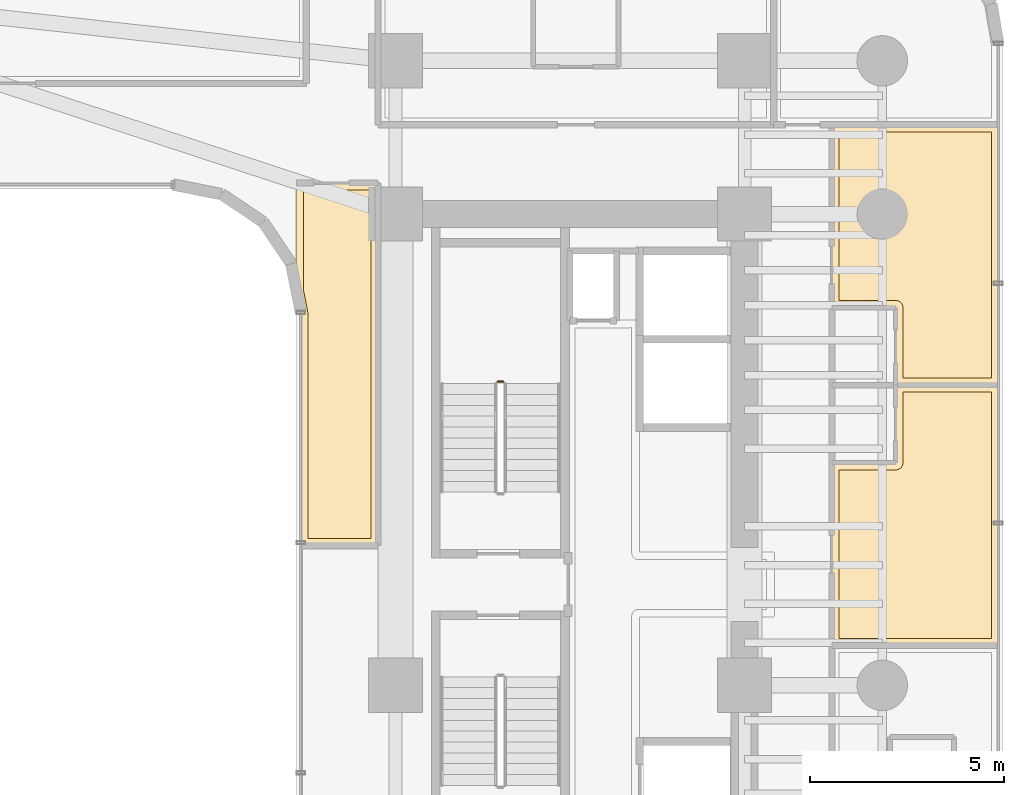
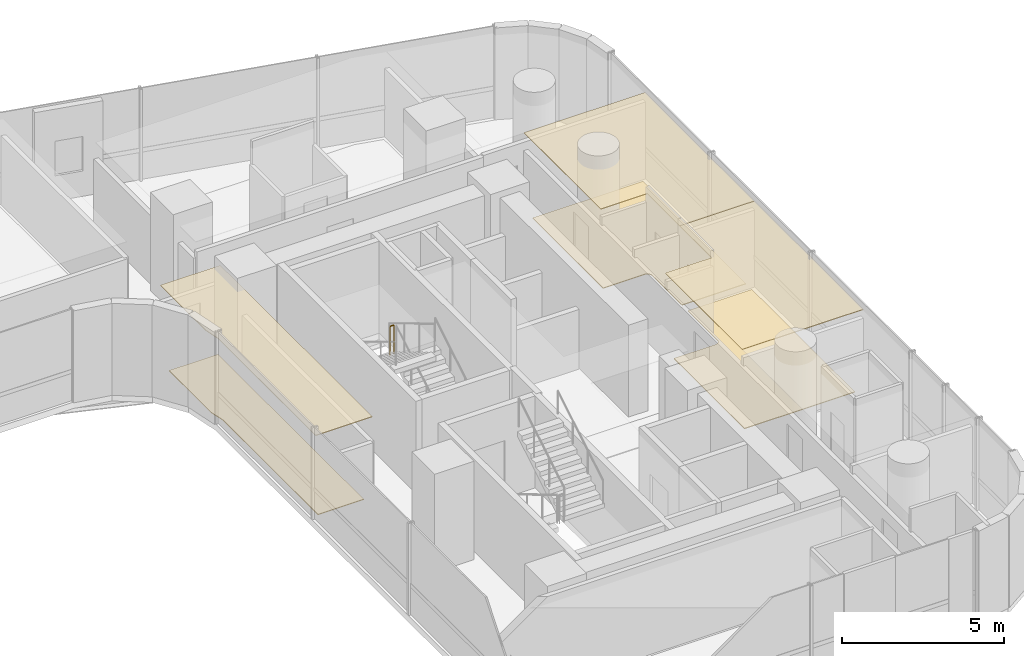
# One storey, part 39 of 40: 6 coverings, 1 railing.
"""IFC4 building model written with IfcOpenShell, lengths in metres."""

from ifc_helpers import new_model, si_unit, direction, frame, origin, origin_2d, place, context, subcontext, project, spatial, polyline, circle, outline, extrude, material, layer, layer_set, type_object, element, save


model = new_model("IFC4")

# Units and contexts
model_context = context("Model", 3, precision=1e-05, world=origin(), true_north=direction((0.0, 1.0)))
body_context = subcontext(model_context, "Body", "Model", "MODEL_VIEW")
ifc_project = project(units=[si_unit("LENGTHUNIT", "METRE"), si_unit("AREAUNIT", "SQUARE_METRE"), si_unit("VOLUMEUNIT", "CUBIC_METRE"), si_unit("PLANEANGLEUNIT", "RADIAN"), si_unit("MASSUNIT", "GRAM", prefix="KILO")], contexts=[model_context])

# Site, building, storey
site_placement = place(None, origin())
site = spatial("IfcSite", under=ifc_project, at=site_placement, CompositionType="ELEMENT")
building_placement = place(site_placement, origin())
building = spatial("IfcBuilding", under=site, at=building_placement, Name="Valdorenza Pilgrim Sanctuary Tower", CompositionType="ELEMENT")
storey_placement = place(building_placement, frame((0.0, 0.0, 66.699951171875)))
storey = spatial("IfcBuildingStorey", under=building, at=storey_placement, Name="L16", CompositionType="ELEMENT", Elevation=66.699951171875)

# Coverings
ifc_material_1 = material(Name="Micro-perforated acoustic mineral ceiling tile", Category="gypsum")
ifc_layer_1 = layer(ifc_material_1, 0.02490234375, Name="Micro-perforated acoustic mineral ceiling tile")
ifc_layer_set_1 = layer_set([ifc_layer_1], Name="Micro-perforated acoustic mineral ceiling tile")
covering_type_1 = type_object("IfcCoveringType", Name="COV-CLG-ACU", PredefinedType="CEILING", material=ifc_layer_set_1)
covering_1_placement = place(storey_placement, frame((0.0, 0.0, 3.16015625)))
element("IfcCovering", 1, at=covering_1_placement, inside=storey, type_object=covering_type_1, Name="L16 East Sanctuary Guest Room L16-EG3 Acoustic Ceiling", PredefinedType="CEILING", context=body_context, shape_type="SweptSolid", body=[
    extrude(outline(polyline([(27.0849609375, 3.135986328125), (27.085205078125, 3.137451171875), (27.085205078125, 3.138916015625), (27.085693359375, 3.140380859375), (27.086181640625, 3.1416015625), (27.0869140625, 3.14306640625), (27.08740234375, 3.144287109375), (27.08837890625, 3.1455078125), (27.08935546875, 3.146484375), (27.090576171875, 3.147705078125), (27.091796875, 3.1484375), (27.093017578125, 3.149169921875), (27.09423828125, 3.14990234375), (27.095703125, 3.150390625), (27.09716796875, 3.150634765625), (27.098388671875, 3.15087890625), (27.10009765625, 3.15087890625), (28.737060546875, 3.15087890625), (28.737060546875, 5.137939453125), (28.737060546875, 5.139404296875), (28.7373046875, 5.140869140625), (28.737548828125, 5.142333984375), (28.738037109375, 5.143798828125), (28.73876953125, 5.14501953125), (28.739501953125, 5.146240234375), (28.740478515625, 5.1474609375), (28.741455078125, 5.148681640625), (28.742431640625, 5.149658203125), (28.74365234375, 5.150390625), (28.744873046875, 5.151123046875), (28.746337890625, 5.15185546875), (28.74755859375, 5.15234375), (28.7490234375, 5.152587890625), (28.75048828125, 5.15283203125), (28.751953125, 5.153076171875), (31.389892578125, 5.153076171875), (31.3916015625, 5.15283203125), (31.392822265625, 5.152587890625), (31.394287109375, 5.15234375), (31.395751953125, 5.15185546875), (31.397216796875, 5.151123046875), (31.398193359375, 5.150390625), (31.3994140625, 5.149658203125), (31.400634765625, 5.148681640625), (31.401611328125, 5.1474609375), (31.402587890625, 5.146240234375), (31.4033203125, 5.14501953125), (31.40380859375, 5.143798828125), (31.404296875, 5.142333984375), (31.40478515625, 5.140869140625), (31.40478515625, 5.139404296875), (31.405029296875, 5.137939453125), (31.405029296875, -1.572998046875), (31.40478515625, -1.574462890625), (31.40478515625, -1.575927734375), (31.404296875, -1.577392578125), (31.40380859375, -1.57861328125), (31.4033203125, -1.580078125), (31.402587890625, -1.581298828125), (31.401611328125, -1.58251953125), (31.400634765625, -1.58349609375), (31.3994140625, -1.584716796875), (31.398193359375, -1.58544921875), (31.397216796875, -1.586181640625), (31.395751953125, -1.5869140625), (31.394287109375, -1.58740234375), (31.392822265625, -1.587646484375), (31.3916015625, -1.587890625), (31.389892578125, -1.587890625), (27.10009765625, -1.587890625), (27.098388671875, -1.587890625), (27.09716796875, -1.587646484375), (27.095703125, -1.58740234375), (27.09423828125, -1.5869140625), (27.093017578125, -1.586181640625), (27.091796875, -1.58544921875), (27.090576171875, -1.584716796875), (27.08935546875, -1.58349609375), (27.08837890625, -1.58251953125), (27.08740234375, -1.581298828125), (27.0869140625, -1.580078125), (27.086181640625, -1.57861328125), (27.085693359375, -1.577392578125), (27.085205078125, -1.575927734375), (27.085205078125, -1.574462890625), (27.0849609375, -1.572998046875), (27.0849609375, 3.135986328125)])), origin(), (0.0, 0.0, 1.0), 0.02490234375),
])
covering_2_placement = place(storey_placement, frame((0.0, 0.0, 3.16015625)))
element("IfcCovering", 2, at=covering_2_placement, inside=storey, type_object=covering_type_1, Name="L16 East Sanctuary Guest Room L16-EG4 Acoustic Ceiling", PredefinedType="CEILING", context=body_context, shape_type="SweptSolid", body=[
    extrude(outline(polyline([(28.737060546875, 7.125), (27.10009765625, 7.125), (27.098388671875, 7.125), (27.09716796875, 7.125244140625), (27.095703125, 7.12548828125), (27.09423828125, 7.126220703125), (27.093017578125, 7.126708984375), (27.091796875, 7.12744140625), (27.090576171875, 7.12841796875), (27.08935546875, 7.12939453125), (27.08837890625, 7.130615234375), (27.08740234375, 7.131591796875), (27.0869140625, 7.1328125), (27.086181640625, 7.13427734375), (27.085693359375, 7.135498046875), (27.085205078125, 7.13720703125), (27.085205078125, 7.138427734375), (27.0849609375, 7.139892578125), (27.0849609375, 11.847900390625), (27.085205078125, 11.849609375), (27.085205078125, 11.850830078125), (27.085693359375, 11.852294921875), (27.086181640625, 11.853759765625), (27.0869140625, 11.85498046875), (27.08740234375, 11.856201171875), (27.08837890625, 11.857421875), (27.08935546875, 11.858642578125), (27.090576171875, 11.859619140625), (27.091796875, 11.860595703125), (27.093017578125, 11.861083984375), (27.09423828125, 11.86181640625), (27.095703125, 11.8623046875), (27.09716796875, 11.86279296875), (27.098388671875, 11.86279296875), (27.10009765625, 11.863037109375), (31.389892578125, 11.863037109375), (31.3916015625, 11.86279296875), (31.392822265625, 11.86279296875), (31.394287109375, 11.8623046875), (31.395751953125, 11.86181640625), (31.397216796875, 11.861083984375), (31.398193359375, 11.860595703125), (31.3994140625, 11.859619140625), (31.400634765625, 11.858642578125), (31.401611328125, 11.857421875), (31.402587890625, 11.856201171875), (31.4033203125, 11.85498046875), (31.40380859375, 11.853759765625), (31.404296875, 11.852294921875), (31.40478515625, 11.850830078125), (31.40478515625, 11.849609375), (31.405029296875, 11.847900390625), (31.405029296875, 5.139892578125), (31.40478515625, 5.138427734375), (31.40478515625, 5.13720703125), (31.404296875, 5.135498046875), (31.40380859375, 5.13427734375), (31.4033203125, 5.1328125), (31.402587890625, 5.131591796875), (31.401611328125, 5.130615234375), (31.400634765625, 5.12939453125), (31.3994140625, 5.12841796875), (31.398193359375, 5.12744140625), (31.397216796875, 5.126708984375), (31.395751953125, 5.126220703125), (31.394287109375, 5.12548828125), (31.392822265625, 5.125244140625), (31.3916015625, 5.125), (31.389892578125, 5.125), (28.751953125, 5.125), (28.75048828125, 5.125), (28.7490234375, 5.125244140625), (28.74755859375, 5.12548828125), (28.746337890625, 5.126220703125), (28.744873046875, 5.126708984375), (28.74365234375, 5.12744140625), (28.742431640625, 5.12841796875), (28.741455078125, 5.12939453125), (28.740478515625, 5.130615234375), (28.739501953125, 5.131591796875), (28.73876953125, 5.1328125), (28.738037109375, 5.13427734375), (28.737548828125, 5.135498046875), (28.7373046875, 5.13720703125), (28.737060546875, 5.138427734375), (28.737060546875, 5.139892578125), (28.737060546875, 7.125)])), origin(), (0.0, 0.0, 1.0), 0.02490234375),
])
covering_3_placement = place(storey_placement, frame((0.0, 0.0, 3.16015625)))
element("IfcCovering", 3, at=covering_3_placement, inside=storey, type_object=covering_type_1, Name="L16 Courtyard Overlook Salon L16 Acoustic Ceiling", PredefinedType="CEILING", context=body_context, shape_type="SweptSolid", body=[
    extrude(outline(polyline([(15.39990234375, 10.364990234375), (15.401611328125, 10.364990234375), (15.40283203125, 10.36474609375), (15.404296875, 10.364501953125), (15.40576171875, 10.364013671875), (15.406982421875, 10.36328125), (15.408203125, 10.362548828125), (15.409423828125, 10.361572265625), (15.41064453125, 10.360595703125), (15.41162109375, 10.359619140625), (15.41259765625, 10.3583984375), (15.4130859375, 10.357177734375), (15.413818359375, 10.355712890625), (15.414306640625, 10.3544921875), (15.414794921875, 10.352783203125), (15.414794921875, 10.3515625), (15.4150390625, 10.35009765625), (15.4150390625, 1.0), (15.414794921875, 0.99853515625), (15.414794921875, 0.9970703125), (15.414306640625, 0.99560546875), (15.413818359375, 0.994384765625), (15.4130859375, 0.992919921875), (15.41259765625, 0.99169921875), (15.41162109375, 0.990478515625), (15.41064453125, 0.989501953125), (15.409423828125, 0.98828125), (15.408203125, 0.987548828125), (15.406982421875, 0.98681640625), (15.40576171875, 0.986083984375), (15.404296875, 0.985595703125), (15.40283203125, 0.9853515625), (15.401611328125, 0.985107421875), (15.39990234375, 0.985107421875), (13.409912109375, 0.985107421875), (13.408447265625, 0.985107421875), (13.406982421875, 0.9853515625), (13.405517578125, 0.985595703125), (13.404296875, 0.986083984375), (13.40283203125, 0.98681640625), (13.401611328125, 0.987548828125), (13.400390625, 0.98828125), (13.3994140625, 0.989501953125), (13.3984375, 0.990478515625), (13.3974609375, 0.99169921875), (13.396728515625, 0.992919921875), (13.39599609375, 0.994384765625), (13.3955078125, 0.99560546875), (13.395263671875, 0.9970703125), (13.39501953125, 0.99853515625), (13.39501953125, 1.0), (13.39501953125, 6.99951171875), (13.39453125, 7.00927734375), (13.39306640625, 7.018798828125), (13.285400390625, 7.560791015625), (13.28515625, 7.562255859375), (13.284912109375, 7.563720703125), (13.284912109375, 10.35009765625), (13.28515625, 10.3515625), (13.285400390625, 10.352783203125), (13.28564453125, 10.3544921875), (13.2861328125, 10.355712890625), (13.286865234375, 10.357177734375), (13.28759765625, 10.3583984375), (13.288330078125, 10.359619140625), (13.289306640625, 10.360595703125), (13.29052734375, 10.361572265625), (13.291748046875, 10.362548828125), (13.29296875, 10.36328125), (13.294189453125, 10.364013671875), (13.295654296875, 10.364501953125), (13.297119140625, 10.36474609375), (13.298583984375, 10.364990234375), (13.300048828125, 10.364990234375), (15.39990234375, 10.364990234375)])), origin(), (0.0, 0.0, 1.0), 0.02490234375),
])
ifc_material_2 = material(Name="Engineered European oak timber flooring", Category="wood")
ifc_layer_2 = layer(ifc_material_2, 0.02197265625, Name="Engineered European oak timber flooring")
ifc_layer_set_2 = layer_set([ifc_layer_2], Name="Engineered European oak timber flooring")
covering_type_2 = type_object("IfcCoveringType", Name="COV-FLR-OAK", PredefinedType="FLOORING", material=ifc_layer_set_2)
covering_4_placement = place(storey_placement, origin())
element("IfcCovering", 4, at=covering_4_placement, inside=storey, type_object=covering_type_2, Name="L16 East Sanctuary Guest Room L16-EG3 Flooring", PredefinedType="FLOORING", context=body_context, shape_type="SweptSolid", body=[
    extrude(outline(polyline([(27.280029296875, 2.9560546875), (28.75, 2.9560546875), (28.7587890625, 2.956298828125), (28.759033203125, 2.956298828125), (28.776611328125, 2.9580078125), (28.77685546875, 2.9580078125), (28.794189453125, 2.96142578125), (28.794189453125, 2.96142578125), (28.811279296875, 2.966552734375), (28.811279296875, 2.966796875), (28.82763671875, 2.973388671875), (28.827880859375, 2.973388671875), (28.843505859375, 2.981689453125), (28.843505859375, 2.98193359375), (28.8583984375, 2.99169921875), (28.8583984375, 2.991943359375), (28.8720703125, 3.003173828125), (28.872314453125, 3.003173828125), (28.884765625, 3.015625), (28.885009765625, 3.015869140625), (28.89599609375, 3.029541015625), (28.896240234375, 3.02978515625), (28.906005859375, 3.04443359375), (28.90625, 3.04443359375), (28.91455078125, 3.06005859375), (28.91455078125, 3.060302734375), (28.92138671875, 3.07666015625), (28.92138671875, 3.076904296875), (28.926513671875, 3.09375), (28.926513671875, 3.093994140625), (28.929931640625, 3.111083984375), (28.929931640625, 3.111328125), (28.931884765625, 3.12890625), (28.931884765625, 3.129150390625), (28.931884765625, 3.137939453125), (28.931884765625, 4.9580078125), (31.2099609375, 4.9580078125), (31.2099609375, -1.39306640625), (27.280029296875, -1.39306640625), (27.280029296875, 2.9560546875)])), origin(), (0.0, 0.0, 1.0), 0.025146484375),
])
covering_5_placement = place(storey_placement, origin())
element("IfcCovering", 5, at=covering_5_placement, inside=storey, type_object=covering_type_2, Name="L16 East Sanctuary Guest Room L16-EG4 Flooring", PredefinedType="FLOORING", context=body_context, shape_type="SweptSolid", body=[
    extrude(outline(polyline([(31.2099609375, 5.320068359375), (28.931884765625, 5.320068359375), (28.931884765625, 7.137939453125), (28.931884765625, 7.146728515625), (28.931884765625, 7.14697265625), (28.929931640625, 7.16455078125), (28.929931640625, 7.164794921875), (28.926513671875, 7.18212890625), (28.926513671875, 7.182373046875), (28.92138671875, 7.19921875), (28.92138671875, 7.199462890625), (28.91455078125, 7.2158203125), (28.91455078125, 7.2158203125), (28.90625, 7.2314453125), (28.906005859375, 7.231689453125), (28.896240234375, 7.246337890625), (28.89599609375, 7.24658203125), (28.885009765625, 7.260009765625), (28.884765625, 7.26025390625), (28.872314453125, 7.272705078125), (28.8720703125, 7.27294921875), (28.8583984375, 7.2841796875), (28.8583984375, 7.2841796875), (28.843505859375, 7.294189453125), (28.843505859375, 7.294189453125), (28.827880859375, 7.302490234375), (28.82763671875, 7.302490234375), (28.811279296875, 7.309326171875), (28.811279296875, 7.309326171875), (28.794189453125, 7.314453125), (28.794189453125, 7.314697265625), (28.77685546875, 7.318115234375), (28.776611328125, 7.318115234375), (28.759033203125, 7.31982421875), (28.7587890625, 7.31982421875), (28.75, 7.320068359375), (27.280029296875, 7.320068359375), (27.280029296875, 11.66796875), (31.2099609375, 11.66796875), (31.2099609375, 5.320068359375)])), origin(), (0.0, 0.0, 1.0), 0.025146484375),
])
ifc_material_3 = material(Name="Honed travertine stone flooring", Category="masonry")
ifc_layer_3 = layer(ifc_material_3, 0.030029296875, Name="Honed travertine stone flooring")
ifc_layer_set_3 = layer_set([ifc_layer_3], Name="Honed travertine stone flooring")
covering_type_3 = type_object("IfcCoveringType", Name="COV-FLR-TRV", PredefinedType="FLOORING", material=ifc_layer_set_3)
covering_6_placement = place(storey_placement, origin())
element("IfcCovering", 6, at=covering_6_placement, inside=storey, type_object=covering_type_3, Name="L16 Courtyard Overlook Salon L16 Flooring", PredefinedType="FLOORING", context=body_context, shape_type="SweptSolid", body=[
    extrude(outline(polyline([(15.219970703125, 10.169921875), (15.219970703125, 1.179931640625), (13.590087890625, 1.179931640625), (13.590087890625, 7.0), (13.58984375, 7.0087890625), (13.58935546875, 7.01953125), (13.58740234375, 7.037109375), (13.5859375, 7.0478515625), (13.58447265625, 7.056640625), (13.47998046875, 7.58154296875), (13.47998046875, 10.169921875), (15.219970703125, 10.169921875)])), origin(), (0.0, 0.0, 1.0), 0.025146484375),
])

# Railing
ifc_material_4 = material(Name="Stainless steel Grade 316", Category="steel")
railing_type = type_object("IfcRailingType", Name="RLG-GRD-1120", PredefinedType="GUARDRAIL", material=ifc_material_4)
railing_placement = place(storey_placement, frame((18.6298828125, 5.22998046875, 1.85009765625)))
element("IfcRailing", 7, at=railing_placement, inside=storey, type_object=railing_type, Name="L16 ST-B1 stair guard 2", PredefinedType="GUARDRAIL", context=body_context, shape_type="SweptSolid", body=[
    extrude(circle(Radius=0.02392578125, at=origin_2d()), frame((0.0, 0.0, 1.076171875), z_axis=(-1.0, 0.0, 0.0), x_axis=(0.0, -1.0, 0.0)), (0.0, 0.0, 1.0), 0.14990234375),
    extrude(circle(Radius=0.02099609375, at=origin_2d()), origin(), (0.0, 0.0, 1.0), 1.052001953125),
    extrude(circle(Radius=0.02099609375, at=origin_2d()), frame((-0.14990234375, 0.0, 0.0)), (0.0, 0.0, 1.0), 1.052001953125),
])

save(model, "model.ifc")
